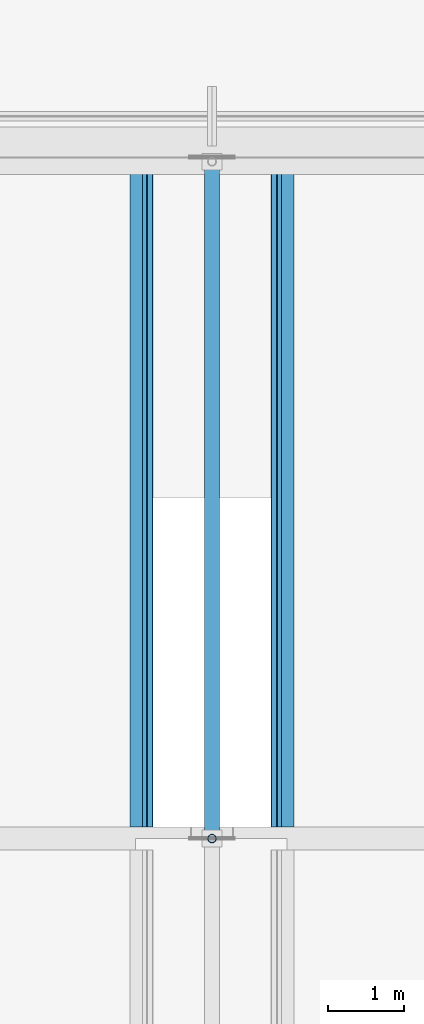
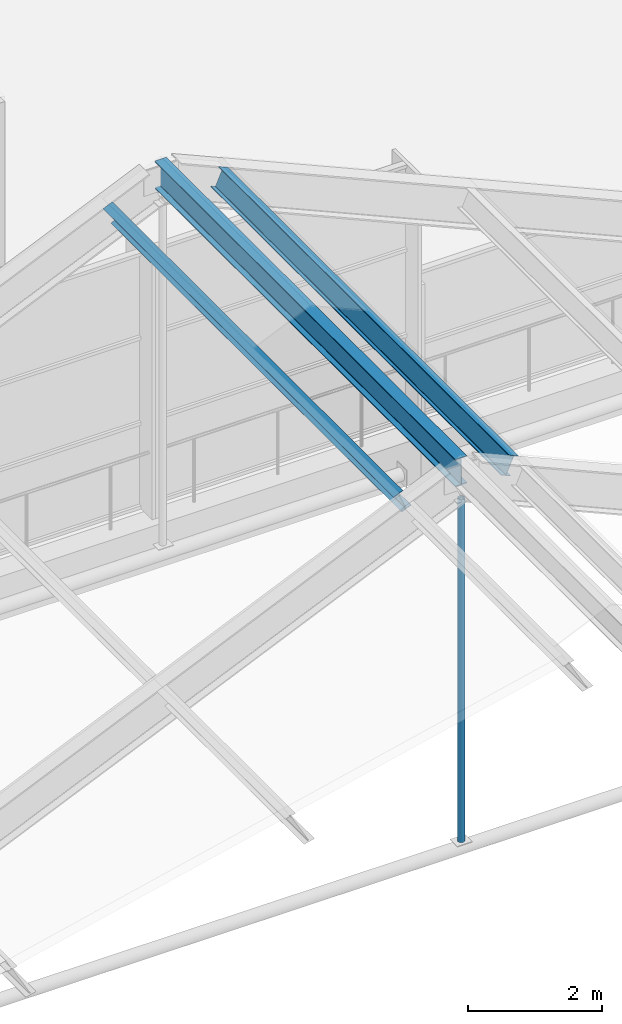
# One storey, part 43 of 106: 4 members.
"""IFC4 building model written with IfcOpenShell, lengths in metres."""

from ifc_helpers import new_model, si_unit, direction, frame, origin, origin_2d, place, context, subcontext, project, spatial, hollow_circle, i_section, extrude, material, material_profile, profile_set, type_object, element, save


model = new_model("IFC4")

# Units and contexts
model_context = context("Model", 3, precision=1e-05, world=origin(), true_north=direction((0.0, 1.0)))
body_context = subcontext(model_context, "Body", "Model", "MODEL_VIEW")
ifc_project = project(units=[si_unit("LENGTHUNIT", "METRE"), si_unit("AREAUNIT", "SQUARE_METRE"), si_unit("VOLUMEUNIT", "CUBIC_METRE"), si_unit("PLANEANGLEUNIT", "RADIAN"), si_unit("MASSUNIT", "GRAM", prefix="KILO")], contexts=[model_context])

# Site, building, storey
site_placement = place(None, origin())
site = spatial("IfcSite", under=ifc_project, at=site_placement, CompositionType="ELEMENT")
building_placement = place(site_placement, origin())
building = spatial("IfcBuilding", under=site, at=building_placement, Name="Guidao Yard Department Store", CompositionType="ELEMENT")
storey_placement = place(building_placement, frame((0.0, 0.0, 10.5)))
storey = spatial("IfcBuildingStorey", under=building, at=storey_placement, Name="L02", CompositionType="ELEMENT", Elevation=10.5)

# Members
ifc_material_1 = material(Name="Steel Q355B", Category="steel")
ifc_material_profile_1 = material_profile(ifc_material_1, hollow_circle(Radius=0.056884765625, WallThickness=0.006103515625, at=origin_2d()), Name="CHS 114x6")
ifc_profile_set_1 = profile_set([ifc_material_profile_1], Name="Steel Q355B")
member_type_1 = type_object("IfcMemberType", Name="CHS 114x6", PredefinedType="BRACE", material=ifc_profile_set_1)
member_1_placement = place(storey_placement, frame((139.5, 81.0, -0.33447265625), z_axis=(0.0, 0.0, 1.0), x_axis=(1.0, 0.0, 0.0)))
element("IfcMember", 1, at=member_1_placement, inside=storey, type_object=member_type_1, Name="Roof web strut F04-01", PredefinedType="BRACE", context=body_context, shape_type="SweptSolid", body=[
    extrude(hollow_circle(Radius=0.056884765625, WallThickness=0.006103515625, at=origin_2d()), origin(), (0.0, 0.0, 1.0), 6.272705078125),
])
ifc_material_2 = material(Name="Steel Q355B", Category="steel")
ifc_material_profile_2 = material_profile(ifc_material_2, i_section(OverallWidth=0.175048828125, OverallDepth=0.35009765625, WebThickness=0.007080078125, FlangeThickness=0.010986328125, FilletRadius=0.012939453125, at=origin_2d()), Name="HN 350x175x7x11")
ifc_profile_set_2 = profile_set([ifc_material_profile_2], Name="Steel Q355B")
member_type_2 = type_object("IfcMemberType", Name="HN 350x175x7x11", PredefinedType="PURLIN", material=ifc_profile_set_2)
for number, where, z_axis, x_axis, name in (
    (2, (138.5703125, 81.14990234375, 6.10302734375), (0.0, 1.0, 0.0), (-0.915526159115, 0.0, -0.402258439285), "Roof purlin F04-03"),
    (3, (140.4296875, 81.14990234375, 6.10302734375), (0.0, 1.0, 0.0), (-0.915526159115, 0.0, 0.402258439285), "Roof purlin F04-05"),
):
    element("IfcMember", number, at=place(storey_placement, frame(where, z_axis=z_axis, x_axis=x_axis)), inside=storey, type_object=member_type_2, Name=name, PredefinedType="PURLIN", context=body_context, shape_type="SweptSolid", body=[
        extrude(i_section(OverallWidth=0.175048828125, OverallDepth=0.35009765625, WebThickness=0.007080078125, FlangeThickness=0.010986328125, FilletRadius=0.012939453125, at=origin_2d()), origin(), (0.0, 0.0, 1.0), 8.7001953125),
    ])
ifc_material_3 = material(Name="Steel Q355B", Category="steel")
ifc_material_profile_3 = material_profile(ifc_material_3, i_section(OverallWidth=0.199951171875, OverallDepth=0.5, WebThickness=0.010009765625, FlangeThickness=0.01611328125, FilletRadius=0.012939453125, at=origin_2d()), Name="HN 500x200x10x16")
ifc_profile_set_3 = profile_set([ifc_material_profile_3], Name="Steel Q355B")
member_type_3 = type_object("IfcMemberType", Name="HN 500x200x10x16", PredefinedType="PURLIN", material=ifc_profile_set_3)
member_2_placement = place(storey_placement, frame((139.5, 81.0, 6.415771484375), z_axis=(0.0, 1.0, 0.0), x_axis=(-1.0, 0.0, 0.0)))
element("IfcMember", 4, at=member_2_placement, inside=storey, type_object=member_type_3, Name="Roof ridge purlin F04-04", PredefinedType="PURLIN", context=body_context, shape_type="SweptSolid", body=[
    extrude(i_section(OverallWidth=0.199951171875, OverallDepth=0.5, WebThickness=0.010009765625, FlangeThickness=0.01611328125, FilletRadius=0.012939453125, at=origin_2d()), origin(), (0.0, 0.0, 1.0), 9.0),
])

save(model, "model.ifc")
